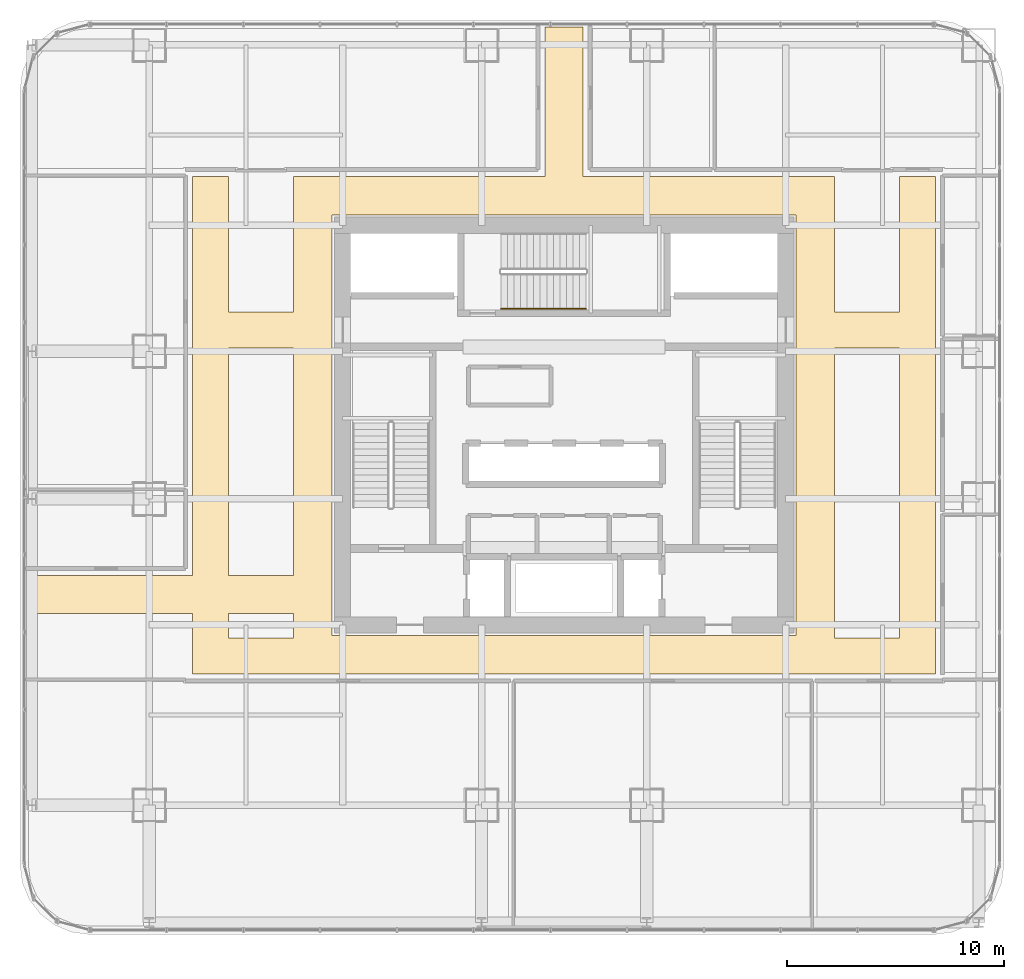
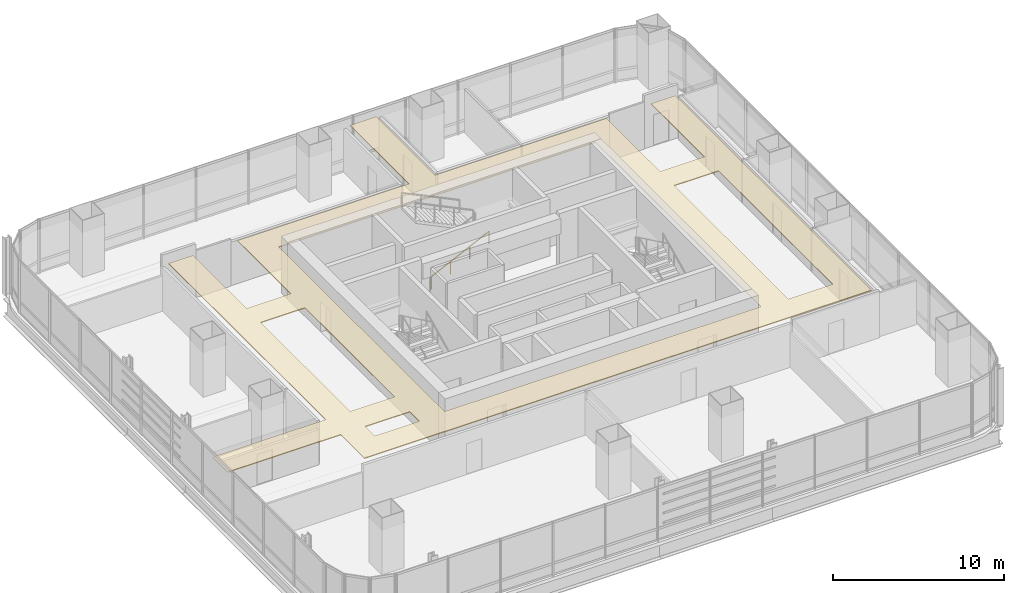
# One storey, part 34 of 36: 1 covering, 1 railing.
"""IFC4 building model written with IfcOpenShell, lengths in metres."""

from ifc_helpers import new_model, si_unit, direction, frame, origin, origin_2d, place, context, subcontext, project, spatial, polyline, circle, outline, extrude, material, layer, layer_set, type_object, element, save


model = new_model("IFC4")

# Units and contexts
model_context = context("Model", 3, precision=1e-05, world=origin(), true_north=direction((0.0, 1.0)))
body_context = subcontext(model_context, "Body", "Model", "MODEL_VIEW")
ifc_project = project(units=[si_unit("LENGTHUNIT", "METRE"), si_unit("AREAUNIT", "SQUARE_METRE"), si_unit("VOLUMEUNIT", "CUBIC_METRE"), si_unit("PLANEANGLEUNIT", "RADIAN"), si_unit("MASSUNIT", "GRAM", prefix="KILO")], contexts=[model_context])

# Site, building, storey
site_placement = place(None, origin())
site = spatial("IfcSite", under=ifc_project, at=site_placement, CompositionType="ELEMENT")
building_placement = place(site_placement, origin())
building = spatial("IfcBuilding", under=site, at=building_placement, Name="Punatoya Terracotta Tower", CompositionType="ELEMENT")
storey_placement = place(building_placement, frame((0.0, 0.0, 40.35009765625)))
storey = spatial("IfcBuildingStorey", under=building, at=storey_placement, Name="L08", CompositionType="ELEMENT", Elevation=40.35009765625)

# Covering
ifc_material_1 = material(Name="Acoustic Mineral Fibre Ceiling")
ifc_layer = layer(ifc_material_1, 0.06005859375)
ifc_layer_set = layer_set([ifc_layer], Name="Acoustic Mineral Fibre Ceiling")
covering_type = type_object("IfcCoveringType", Name="COV-CEIL-60", PredefinedType="CEILING", material=ifc_layer_set)
covering_placement = place(storey_placement, frame((0.0, 0.0, 3.199951171875)))
element("IfcCovering", 1, at=covering_placement, inside=storey, type_object=covering_type, Name="L08 Ring Circulation Corridor Acoustic Ceiling", PredefinedType="CEILING", context=body_context, shape_type="SweptSolid", body=[
    extrude(outline(polyline([(-17.10009765625, -11.449951171875), (17.10009765625, -11.449951171875), (17.10009765625, 11.449951171875), (15.449951171875, 11.449951171875), (15.449951171875, 5.199951171875), (12.449951171875, 5.199951171875), (12.449951171875, 11.449951171875), (0.8798828125, 11.449951171875), (0.8798828125, 18.330078125), (-0.8798828125, 18.330078125), (-0.8798828125, 11.449951171875), (-12.449951171875, 11.449951171875), (-12.449951171875, 5.199951171875), (-15.449951171875, 5.199951171875), (-15.449951171875, 11.449951171875), (-17.10009765625, 11.449951171875), (-17.10009765625, -6.919921875), (-24.72998046875, -6.919921875), (-24.72998046875, -8.679931640625), (-17.10009765625, -8.679931640625), (-17.10009765625, -11.449951171875)]), holes=[polyline([(15.449951171875, 3.550048828125), (15.449951171875, -9.800048828125), (12.449951171875, -9.800048828125), (12.449951171875, 3.550048828125), (15.449951171875, 3.550048828125)]), polyline([(10.679931640625, 9.679931640625), (10.679931640625, -9.679931640625), (-10.679931640625, -9.679931640625), (-10.679931640625, 9.679931640625), (10.679931640625, 9.679931640625)]), polyline([(-15.449951171875, -9.800048828125), (-15.449951171875, -8.679931640625), (-12.449951171875, -8.679931640625), (-12.449951171875, -9.800048828125), (-15.449951171875, -9.800048828125)]), polyline([(-12.449951171875, -6.919921875), (-15.449951171875, -6.919921875), (-15.449951171875, 3.550048828125), (-12.449951171875, 3.550048828125), (-12.449951171875, -6.919921875)])]), origin(), (0.0, 0.0, 1.0), 0.06005859375),
])

# Railing
ifc_material_2 = material(Name="Steel S355", Category="steel")
railing_type = type_object("IfcRailingType", Name="RLG-HND-900", PredefinedType="HANDRAIL", material=ifc_material_2)
railing_placement = place(storey_placement, frame((-2.89990234375, 5.35009765625, 0.14453125)))
element("IfcRailing", 2, at=railing_placement, inside=storey, type_object=railing_type, Name="L08 ST-3 stair handrail 1", PredefinedType="HANDRAIL", context=body_context, shape_type="SweptSolid", body=[
    extrude(circle(Radius=0.02392578125, at=origin_2d()), frame((0.0, 0.0, 0.8759765625), z_axis=(0.900763166376, 0.0, 0.434310623978), x_axis=(0.0, 1.0, 0.0)), (0.0, 0.0, 1.0), 4.32958984375),
    extrude(circle(Radius=0.02099609375, at=origin_2d()), origin(), (0.0, 0.0, 1.0), 0.851806640625),
    extrude(circle(Radius=0.02099609375, at=origin_2d()), frame((1.300048828125, 0.0, 0.626708984375)), (0.0, 0.0, 1.0), 0.851806640625),
    extrude(circle(Radius=0.02099609375, at=origin_2d()), frame((2.599853515625, 0.0, 1.253662109375)), (0.0, 0.0, 1.0), 0.851806640625),
    extrude(circle(Radius=0.02099609375, at=origin_2d()), frame((3.89990234375, 0.0, 1.88037109375)), (0.0, 0.0, 1.0), 0.851806640625),
])

save(model, "model.ifc")
